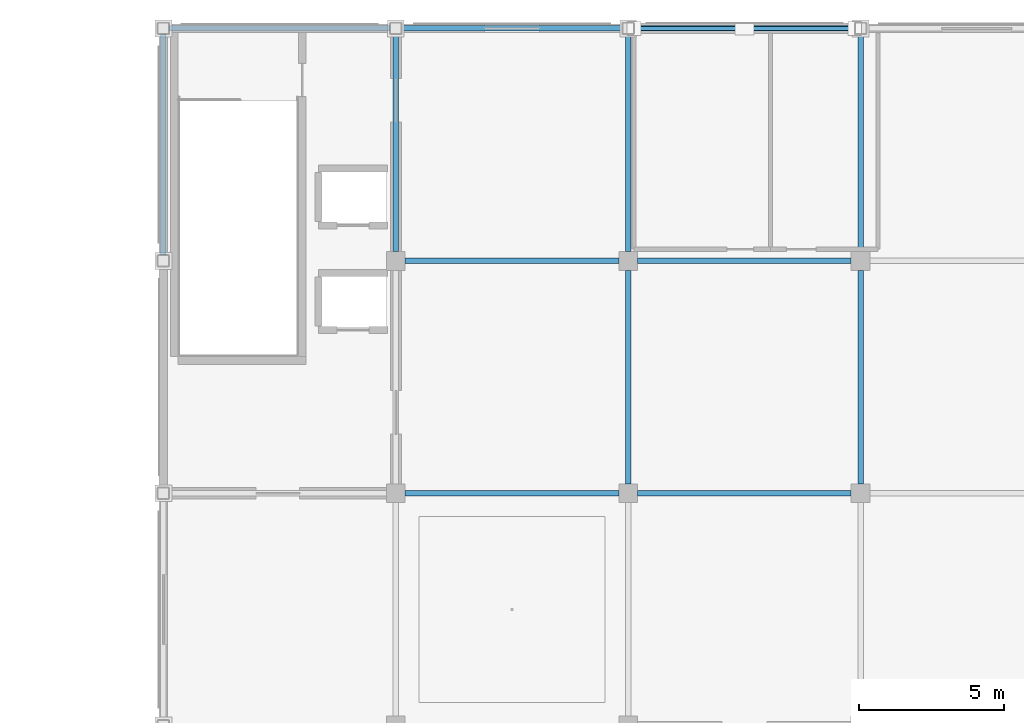
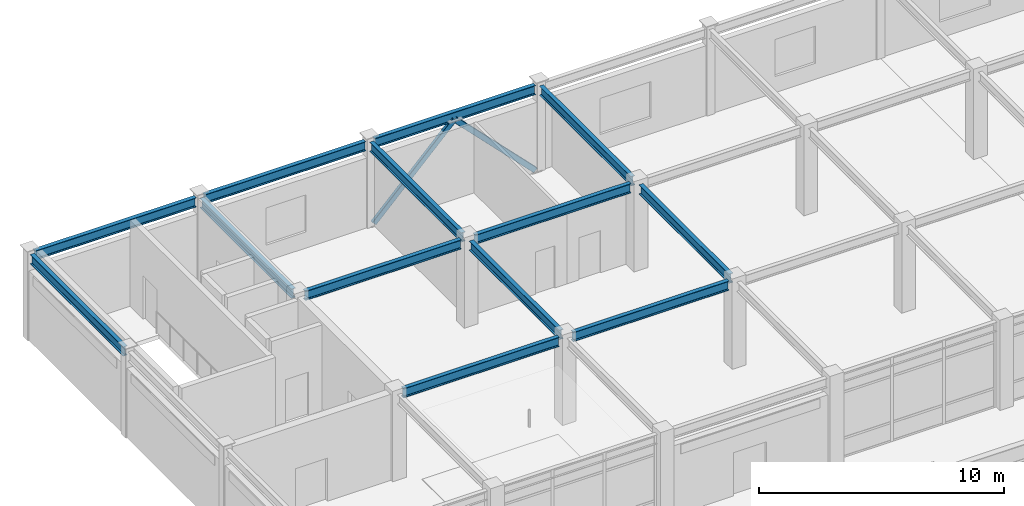
# One storey, part 42 of 78: 13 beams, 2 members.
"""IFC4 building model written with IfcOpenShell, lengths in metres."""

from ifc_helpers import new_model, si_unit, direction, frame, origin, origin_2d, place, context, subcontext, project, spatial, hollow_rectangle, i_section, extrude, material, material_profile, profile_set, type_object, element, save


model = new_model("IFC4")

# Units and contexts
model_context = context("Model", 3, precision=1e-05, world=origin(), true_north=direction((0.0, 1.0)))
body_context = subcontext(model_context, "Body", "Model", "MODEL_VIEW")
ifc_project = project(units=[si_unit("LENGTHUNIT", "METRE"), si_unit("AREAUNIT", "SQUARE_METRE"), si_unit("VOLUMEUNIT", "CUBIC_METRE"), si_unit("PLANEANGLEUNIT", "RADIAN"), si_unit("MASSUNIT", "GRAM", prefix="KILO")], contexts=[model_context])

# Site, building, storey
site_placement = place(None, origin())
site = spatial("IfcSite", under=ifc_project, at=site_placement, CompositionType="ELEMENT")
building_placement = place(site_placement, origin())
building = spatial("IfcBuilding", under=site, at=building_placement, Name="Solmirada Galleria", CompositionType="ELEMENT")
storey_placement = place(building_placement, frame((0.0, 0.0, 23.89990234375)))
storey = spatial("IfcBuildingStorey", under=building, at=storey_placement, Name="L05", CompositionType="ELEMENT", Elevation=23.89990234375)

# Beams
ifc_material_1 = material(Name="Steel S355 / ASTM A992 Grade 50", Category="steel")
ifc_material_profile_1 = material_profile(ifc_material_1, i_section(OverallWidth=0.193115234375, OverallDepth=0.466064453125, WebThickness=0.011474609375, FlangeThickness=0.01904296875, FilletRadius=0.013916015625, at=origin_2d()), Name="W18X65")
ifc_profile_set_1 = profile_set([ifc_material_profile_1], Name="Steel S355 / ASTM A992 Grade 50")
beam_type = type_object("IfcBeamType", Name="BM-GIRD-W18C", PredefinedType="BEAM", material=ifc_profile_set_1)
beam_1_placement = place(storey_placement, frame((40.202880859375, 120.0, 4.0400390625), z_axis=(1.0, 0.0, 0.0), x_axis=(0.0, 1.0, 0.0)))
element("IfcBeam", 1, at=beam_1_placement, inside=storey, type_object=beam_type, Name="North roof girder X=40..48", PredefinedType="BEAM", context=body_context, shape_type="SweptSolid", body=[
    extrude(i_section(OverallWidth=0.193115234375, OverallDepth=0.466064453125, WebThickness=0.011474609375, FlangeThickness=0.01904296875, FilletRadius=0.013916015625, at=origin_2d()), origin(), (0.0, 0.0, 1.0), 7.59423828125),
])
for number, where, z_axis, x_axis, name in (
    (2, (48.324951171875, 104.0, 4.0400390625), (1.0, 0.0, 0.0), (0.0, 1.0, 0.0), "North roof girder X=48..56"),
    (3, (48.324951171875, 112.0, 4.0400390625), (1.0, 0.0, 0.0), (0.0, 1.0, 0.0), "North roof girder X=48..56"),
):
    element("IfcBeam", number, at=place(storey_placement, frame(where, z_axis=z_axis, x_axis=x_axis)), inside=storey, type_object=beam_type, Name=name, PredefinedType="BEAM", context=body_context, shape_type="SweptSolid", body=[
        extrude(i_section(OverallWidth=0.193115234375, OverallDepth=0.466064453125, WebThickness=0.011474609375, FlangeThickness=0.01904296875, FilletRadius=0.013916015625, at=origin_2d()), origin(), (0.0, 0.0, 1.0), 7.35009765625),
    ])
beam_2_placement = place(storey_placement, frame((48.202880859375, 120.0, 4.0400390625), z_axis=(1.0, 0.0, 0.0), x_axis=(0.0, 1.0, 0.0)))
element("IfcBeam", 4, at=beam_2_placement, inside=storey, type_object=beam_type, Name="North roof girder X=48..56", PredefinedType="BEAM", context=body_context, shape_type="SweptSolid", body=[
    extrude(i_section(OverallWidth=0.193115234375, OverallDepth=0.466064453125, WebThickness=0.011474609375, FlangeThickness=0.01904296875, FilletRadius=0.013916015625, at=origin_2d()), origin(), (0.0, 0.0, 1.0), 7.59423828125),
])
for number, where, z_axis, x_axis, name in (
    (5, (56.324951171875, 104.0, 4.0400390625), (1.0, 0.0, 0.0), (0.0, 1.0, 0.0), "North roof girder X=56..64"),
    (6, (56.324951171875, 112.0, 4.0400390625), (1.0, 0.0, 0.0), (0.0, 1.0, 0.0), "North roof girder X=56..64"),
):
    element("IfcBeam", number, at=place(storey_placement, frame(where, z_axis=z_axis, x_axis=x_axis)), inside=storey, type_object=beam_type, Name=name, PredefinedType="BEAM", context=body_context, shape_type="SweptSolid", body=[
        extrude(i_section(OverallWidth=0.193115234375, OverallDepth=0.466064453125, WebThickness=0.011474609375, FlangeThickness=0.01904296875, FilletRadius=0.013916015625, at=origin_2d()), origin(), (0.0, 0.0, 1.0), 7.35009765625),
    ])
for number, where, z_axis, x_axis, name in (
    (7, (56.202880859375, 120.0, 4.0400390625), (1.0, 0.0, 0.0), (0.0, 1.0, 0.0), "North roof girder X=56..64"),
    (8, (40.0, 112.202880859375, 4.0400390625), (0.0, 1.0, 0.0), (-1.0, 0.0, 0.0), "North roof girder Y=112..120"),
):
    element("IfcBeam", number, at=place(storey_placement, frame(where, z_axis=z_axis, x_axis=x_axis)), inside=storey, type_object=beam_type, Name=name, PredefinedType="BEAM", context=body_context, shape_type="SweptSolid", body=[
        extrude(i_section(OverallWidth=0.193115234375, OverallDepth=0.466064453125, WebThickness=0.011474609375, FlangeThickness=0.01904296875, FilletRadius=0.013916015625, at=origin_2d()), origin(), (0.0, 0.0, 1.0), 7.59423828125),
    ])
beam_3_placement = place(storey_placement, frame((48.0, 112.324951171875, 4.0400390625), z_axis=(0.0, 1.0, 0.0), x_axis=(-1.0, 0.0, 0.0)))
element("IfcBeam", 9, at=beam_3_placement, inside=storey, type_object=beam_type, Name="North roof girder Y=112..120", PredefinedType="BEAM", context=body_context, shape_type="SweptSolid", body=[
    extrude(i_section(OverallWidth=0.193115234375, OverallDepth=0.466064453125, WebThickness=0.011474609375, FlangeThickness=0.01904296875, FilletRadius=0.013916015625, at=origin_2d()), origin(), (0.0, 0.0, 1.0), 7.47216796875),
])
beam_4_placement = place(storey_placement, frame((56.0, 104.324951171875, 4.0400390625), z_axis=(0.0, 1.0, 0.0), x_axis=(-1.0, 0.0, 0.0)))
element("IfcBeam", 10, at=beam_4_placement, inside=storey, type_object=beam_type, Name="North roof girder Y=104..112", PredefinedType="BEAM", context=body_context, shape_type="SweptSolid", body=[
    extrude(i_section(OverallWidth=0.193115234375, OverallDepth=0.466064453125, WebThickness=0.011474609375, FlangeThickness=0.01904296875, FilletRadius=0.013916015625, at=origin_2d()), origin(), (0.0, 0.0, 1.0), 7.35009765625),
])
beam_5_placement = place(storey_placement, frame((56.0, 112.324951171875, 4.0400390625), z_axis=(0.0, 1.0, 0.0), x_axis=(-1.0, 0.0, 0.0)))
element("IfcBeam", 11, at=beam_5_placement, inside=storey, type_object=beam_type, Name="North roof girder Y=112..120", PredefinedType="BEAM", context=body_context, shape_type="SweptSolid", body=[
    extrude(i_section(OverallWidth=0.193115234375, OverallDepth=0.466064453125, WebThickness=0.011474609375, FlangeThickness=0.01904296875, FilletRadius=0.013916015625, at=origin_2d()), origin(), (0.0, 0.0, 1.0), 7.47216796875),
])
beam_6_placement = place(storey_placement, frame((64.0, 104.324951171875, 4.0400390625), z_axis=(0.0, 1.0, 0.0), x_axis=(-1.0, 0.0, 0.0)))
element("IfcBeam", 12, at=beam_6_placement, inside=storey, type_object=beam_type, Name="North roof girder Y=104..112", PredefinedType="BEAM", context=body_context, shape_type="SweptSolid", body=[
    extrude(i_section(OverallWidth=0.193115234375, OverallDepth=0.466064453125, WebThickness=0.011474609375, FlangeThickness=0.01904296875, FilletRadius=0.013916015625, at=origin_2d()), origin(), (0.0, 0.0, 1.0), 7.35009765625),
])
beam_7_placement = place(storey_placement, frame((64.0, 112.324951171875, 4.0400390625), z_axis=(0.0, 1.0, 0.0), x_axis=(-1.0, 0.0, 0.0)))
element("IfcBeam", 13, at=beam_7_placement, inside=storey, type_object=beam_type, Name="North roof girder Y=112..120", PredefinedType="BEAM", context=body_context, shape_type="SweptSolid", body=[
    extrude(i_section(OverallWidth=0.193115234375, OverallDepth=0.466064453125, WebThickness=0.011474609375, FlangeThickness=0.01904296875, FilletRadius=0.013916015625, at=origin_2d()), origin(), (0.0, 0.0, 1.0), 7.47216796875),
])

# Members
ifc_material_2 = material(Name="Steel S355 / ASTM A500 Grade C", Category="steel")
ifc_material_profile_2 = material_profile(ifc_material_2, hollow_rectangle(XDim=0.152099609375, YDim=0.25390625, WallThickness=0.0087890625, InnerFilletRadius=0.0087890625, OuterFilletRadius=0.017822265625, at=origin_2d()), Name="HSS10X6X3/8")
ifc_profile_set_2 = profile_set([ifc_material_profile_2], Name="Steel S355 / ASTM A500 Grade C")
member_type = type_object("IfcMemberType", Name="MEM-CBF-EXT", PredefinedType="BRACE", material=ifc_profile_set_2)
for number, where, z_axis, x_axis, name in (
    (14, (56.202880859375, 120.0, 0.02001953125), (0.701266400883, 0.0, 0.712899316168), (0.0, 1.0, 0.0), "Braced frame diagonal CBF-N1 L05 A"),
    (15, (63.797119140625, 120.0, 0.02001953125), (-0.701266400883, 0.0, 0.712899316168), (0.0, -1.0, 0.0), "Braced frame diagonal CBF-N1 L05 B"),
):
    element("IfcMember", number, at=place(storey_placement, frame(where, z_axis=z_axis, x_axis=x_axis)), inside=storey, type_object=member_type, Name=name, PredefinedType="BRACE", context=body_context, shape_type="SweptSolid", body=[
        extrude(hollow_rectangle(XDim=0.152099609375, YDim=0.25390625, WallThickness=0.0087890625, InnerFilletRadius=0.0087890625, OuterFilletRadius=0.017822265625, at=origin_2d()), origin(), (0.0, 0.0, 1.0), 5.41455078125),
    ])

save(model, "model.ifc")
